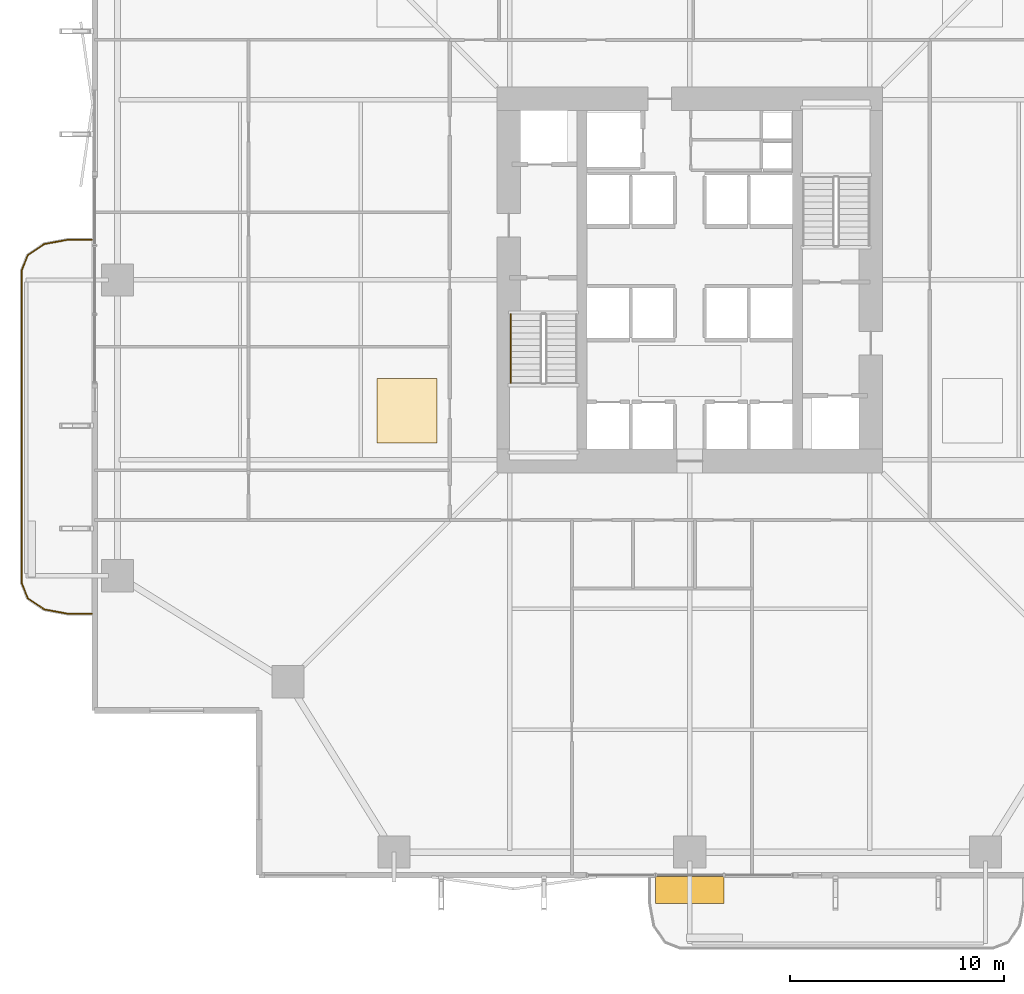
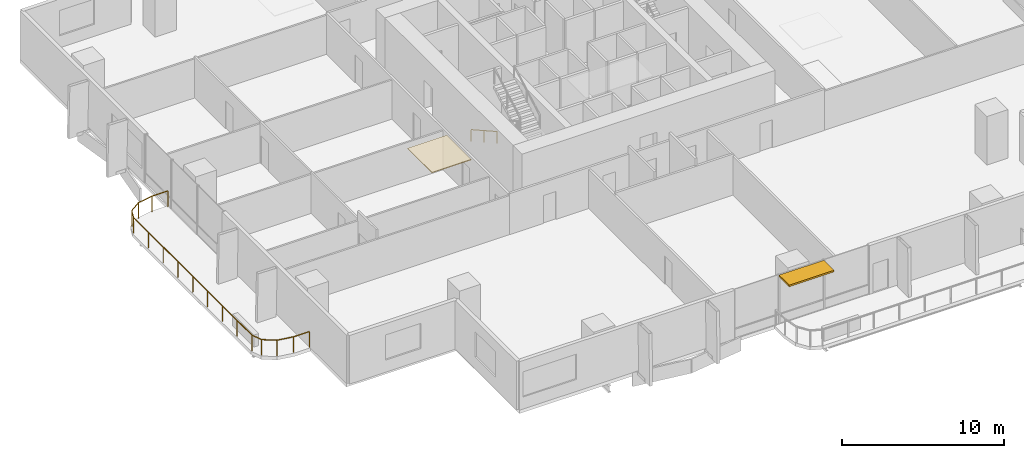
# One storey, part 21 of 24: 2 railings, 1 covering, 1 shading device.
"""IFC4 building model written with IfcOpenShell, lengths in metres."""

from ifc_helpers import new_model, si_unit, direction, frame, origin, origin_2d, place, context, subcontext, project, spatial, polyline, rectangle, outline, extrude, material, layer, layer_set, type_object, element, save


model = new_model("IFC4")

# Units and contexts
model_context = context("Model", 3, precision=1e-05, world=origin(), true_north=direction((0.0, 1.0)))
body_context = subcontext(model_context, "Body", "Model", "MODEL_VIEW")
ifc_project = project(units=[si_unit("LENGTHUNIT", "METRE"), si_unit("AREAUNIT", "SQUARE_METRE"), si_unit("VOLUMEUNIT", "CUBIC_METRE"), si_unit("PLANEANGLEUNIT", "RADIAN"), si_unit("MASSUNIT", "GRAM", prefix="KILO")], contexts=[model_context])

# Site, building, storey
site_placement = place(None, origin())
site = spatial("IfcSite", under=ifc_project, at=site_placement, CompositionType="ELEMENT")
building_placement = place(site_placement, origin())
building = spatial("IfcBuilding", under=site, at=building_placement, Name="Belovzor Exchange Tower", CompositionType="ELEMENT")
storey_placement = place(building_placement, frame((0.0, 0.0, 80.699951171875)))
storey = spatial("IfcBuildingStorey", under=building, at=storey_placement, Name="L19", CompositionType="ELEMENT", Elevation=80.699951171875)

# Railings
ifc_material_1 = material(Name="Stainless Steel Grade 304", Category="steel")
railing_type_1 = type_object("IfcRailingType", Name="Brushed Stainless Steel Stair Handrail 900", PredefinedType="HANDRAIL", material=ifc_material_1)
railing_1_placement = place(storey_placement, frame((20.449951171875, 27.199951171875, 0.16259765625)))
element("IfcRailing", 1, at=railing_1_placement, inside=storey, type_object=railing_type_1, Name="L19 ST-1 stair handrail 1", PredefinedType="HANDRAIL", context=body_context, shape_type="SweptSolid", body=[
    extrude(rectangle(XDim=0.048095703125, YDim=0.048095703125, at=origin_2d()), frame((0.0, 0.0, 0.8759765625), z_axis=(0.0, -0.872390997893, 0.488808701636), x_axis=(1.0, 0.0, 0.0)), (0.0, 0.0, 1.0), 3.656494140625),
    extrude(rectangle(XDim=0.0419921875, YDim=0.0419921875, at=origin_2d()), origin(), (0.0, 0.0, 1.0), 0.851806640625),
    extrude(rectangle(XDim=0.0419921875, YDim=0.0419921875, at=origin_2d()), frame((0.0, -1.594970703125, 0.8935546875)), (0.0, 0.0, 1.0), 0.851806640625),
    extrude(rectangle(XDim=0.0419921875, YDim=0.0419921875, at=origin_2d()), frame((0.0, -3.18994140625, 1.787353515625)), (0.0, 0.0, 1.0), 0.851806640625),
])
ifc_material_2 = material(Name="Stainless Steel and Laminated Safety Glass", Category="steel")
railing_type_2 = type_object("IfcRailingType", Name="Laminated Glass & Stainless Steel Balcony Balustrade 1200", PredefinedType="BALUSTRADE", material=ifc_material_2)
railing_2_placement = place(storey_placement, frame((0.889892578125, 30.669921875, 0.0)))
element("IfcRailing", 2, at=railing_2_placement, inside=storey, type_object=railing_type_2, Name="GR-1 Balcony Balustrade L19 West", PredefinedType="BALUSTRADE", context=body_context, shape_type="SweptSolid", body=[
    extrude(rectangle(XDim=0.048095703125, YDim=0.048095703125, at=origin_2d()), frame((0.0, 0.0, 1.17578125), z_axis=(-1.0, 0.0, 0.0), x_axis=(0.0, -1.0, 0.0)), (0.0, 0.0, 1.0), 1.1328125),
    extrude(rectangle(XDim=0.048095703125, YDim=0.048095703125, at=origin_2d()), frame((-1.1328125, 0.0, 1.17578125), z_axis=(-0.983651385113, -0.180083182347, 0.0), x_axis=(0.180083182347, -0.983651385113, 0.0)), (0.0, 0.0, 1.0), 1.093994140625),
    extrude(rectangle(XDim=0.048095703125, YDim=0.048095703125, at=origin_2d()), frame((-2.208984375, -0.197021484375, 1.17578125), z_axis=(-0.826614792125, -0.562768145367, 0.0), x_axis=(0.562768145367, -0.826614792125, 0.0)), (0.0, 0.0, 1.0), 0.9326171875),
    extrude(rectangle(XDim=0.048095703125, YDim=0.048095703125, at=origin_2d()), frame((-2.97998046875, -0.721923828125, 1.17578125), z_axis=(-0.365612923861, -0.930766990125, 0.0), x_axis=(0.930766990125, -0.365612923861, 0.0)), (0.0, 0.0, 1.0), 0.765869140625),
    extrude(rectangle(XDim=0.048095703125, YDim=0.048095703125, at=origin_2d()), frame((-3.260009765625, -1.434814453125, 1.17578125), z_axis=(0.0, -1.0, 0.0), x_axis=(1.0, 0.0, 0.0)), (0.0, 0.0, 1.0), 14.570068359375),
    extrude(rectangle(XDim=0.048095703125, YDim=0.048095703125, at=origin_2d()), frame((-3.260009765625, -16.0048828125, 1.17578125), z_axis=(0.365504480807, -0.930809580156, 0.0), x_axis=(0.930809580156, 0.365504480807, 0.0)), (0.0, 0.0, 1.0), 0.76611328125),
    extrude(rectangle(XDim=0.048095703125, YDim=0.048095703125, at=origin_2d()), frame((-2.97998046875, -16.718017578125, 1.17578125), z_axis=(0.826614792125, -0.562768145367, 0.0), x_axis=(0.562768145367, 0.826614792125, 0.0)), (0.0, 0.0, 1.0), 0.9326171875),
    extrude(rectangle(XDim=0.048095703125, YDim=0.048095703125, at=origin_2d()), frame((-2.208984375, -17.242919921875, 1.17578125), z_axis=(0.983651385113, -0.180083182347, 0.0), x_axis=(0.180083182347, 0.983651385113, 0.0)), (0.0, 0.0, 1.0), 1.093994140625),
    extrude(rectangle(XDim=0.048095703125, YDim=0.048095703125, at=origin_2d()), frame((-1.1328125, -17.43994140625, 1.17578125), z_axis=(1.0, 0.0, 0.0), x_axis=(0.0, 1.0, 0.0)), (0.0, 0.0, 1.0), 1.1328125),
    extrude(rectangle(XDim=0.0419921875, YDim=0.0419921875, at=origin_2d()), origin(), (0.0, 0.0, 1.0), 1.15185546875),
    extrude(rectangle(XDim=0.0419921875, YDim=0.0419921875, at=origin_2d()), frame((-1.1328125, 0.0, 0.0)), (0.0, 0.0, 1.0), 1.15185546875),
    extrude(rectangle(XDim=0.0419921875, YDim=0.0419921875, at=origin_2d()), frame((-2.208984375, -0.197021484375, 0.0)), (0.0, 0.0, 1.0), 1.15185546875),
    extrude(rectangle(XDim=0.0419921875, YDim=0.0419921875, at=origin_2d()), frame((-2.97998046875, -0.721923828125, 0.0)), (0.0, 0.0, 1.0), 1.15185546875),
    extrude(rectangle(XDim=0.0419921875, YDim=0.0419921875, at=origin_2d()), frame((-3.260009765625, -1.434814453125, 0.0)), (0.0, 0.0, 1.0), 1.15185546875),
    extrude(rectangle(XDim=0.0419921875, YDim=0.0419921875, at=origin_2d()), frame((-3.260009765625, -3.256103515625, 0.0)), (0.0, 0.0, 1.0), 1.15185546875),
    extrude(rectangle(XDim=0.0419921875, YDim=0.0419921875, at=origin_2d()), frame((-3.260009765625, -5.077392578125, 0.0)), (0.0, 0.0, 1.0), 1.15185546875),
    extrude(rectangle(XDim=0.0419921875, YDim=0.0419921875, at=origin_2d()), frame((-3.260009765625, -6.898681640625, 0.0)), (0.0, 0.0, 1.0), 1.15185546875),
    extrude(rectangle(XDim=0.0419921875, YDim=0.0419921875, at=origin_2d()), frame((-3.260009765625, -8.7197265625, 0.0)), (0.0, 0.0, 1.0), 1.15185546875),
    extrude(rectangle(XDim=0.0419921875, YDim=0.0419921875, at=origin_2d()), frame((-3.260009765625, -10.541015625, 0.0)), (0.0, 0.0, 1.0), 1.15185546875),
    extrude(rectangle(XDim=0.0419921875, YDim=0.0419921875, at=origin_2d()), frame((-3.260009765625, -12.3623046875, 0.0)), (0.0, 0.0, 1.0), 1.15185546875),
    extrude(rectangle(XDim=0.0419921875, YDim=0.0419921875, at=origin_2d()), frame((-3.260009765625, -14.18359375, 0.0)), (0.0, 0.0, 1.0), 1.15185546875),
    extrude(rectangle(XDim=0.0419921875, YDim=0.0419921875, at=origin_2d()), frame((-3.260009765625, -16.0048828125, 0.0)), (0.0, 0.0, 1.0), 1.15185546875),
    extrude(rectangle(XDim=0.0419921875, YDim=0.0419921875, at=origin_2d()), frame((-2.97998046875, -16.718017578125, 0.0)), (0.0, 0.0, 1.0), 1.15185546875),
    extrude(rectangle(XDim=0.0419921875, YDim=0.0419921875, at=origin_2d()), frame((-2.208984375, -17.242919921875, 0.0)), (0.0, 0.0, 1.0), 1.15185546875),
    extrude(rectangle(XDim=0.0419921875, YDim=0.0419921875, at=origin_2d()), frame((-1.1328125, -17.43994140625, 0.0)), (0.0, 0.0, 1.0), 1.15185546875),
    extrude(rectangle(XDim=0.0419921875, YDim=0.0419921875, at=origin_2d()), frame((0.0, -17.43994140625, 0.0)), (0.0, 0.0, 1.0), 1.15185546875),
])

# Covering
ifc_material_3 = material(Name="Perforated Powder-Coated Aluminium", Category="aluminium")
ifc_layer_1 = layer(ifc_material_3, 0.06005859375)
ifc_layer_set_1 = layer_set([ifc_layer_1], Name="Perforated Powder-Coated Aluminium")
covering_type = type_object("IfcCoveringType", Name="Perforated Acoustic Metal Tile Suspended Ceiling 60", PredefinedType="CEILING", material=ifc_layer_set_1)
covering_placement = place(storey_placement, frame((0.0, 0.0, 3.590087890625)))
element("IfcCovering", 3, at=covering_placement, inside=storey, type_object=covering_type, Name="CLG-AC60 Suspended Ceiling CLG-L19-Z3", PredefinedType="CEILING", context=body_context, shape_type="SweptSolid", body=[
    extrude(outline(polyline([(14.199951171875, 21.199951171875), (17.0, 21.199951171875), (17.0, 24.199951171875), (14.199951171875, 24.199951171875), (14.199951171875, 21.199951171875)])), origin(), (0.0, 0.0, 1.0), 0.06005859375),
])

# Shading device
ifc_material_4 = material(Name="Extruded Architectural Terracotta", Category="masonry")
ifc_layer_2 = layer(ifc_material_4, 0.1201171875)
ifc_layer_set_2 = layer_set([ifc_layer_2], Name="Extruded Architectural Terracotta")
shading_device_type = type_object("IfcShadingDeviceType", Name="Streamline Terracotta Horizontal Sunshade Hood 1250", PredefinedType="AWNING", material=ifc_layer_set_2)
shading_device_placement = place(storey_placement, frame((28.800048828125, 0.3349609375, 3.530029296875), z_axis=(0.0, 0.0, 1.0), x_axis=(1.0, 0.0, 0.0)))
element("IfcShadingDevice", 4, at=shading_device_placement, inside=storey, type_object=shading_device_type, Name="SHD-TC125 Terracotta Sunshade L19 S", PredefinedType="AWNING", context=body_context, shape_type="SweptSolid", body=[
    extrude(rectangle(XDim=3.199951171875, YDim=1.25, at=origin_2d()), origin(), (0.0, 0.0, 1.0), 0.1201171875),
])

save(model, "model.ifc")
